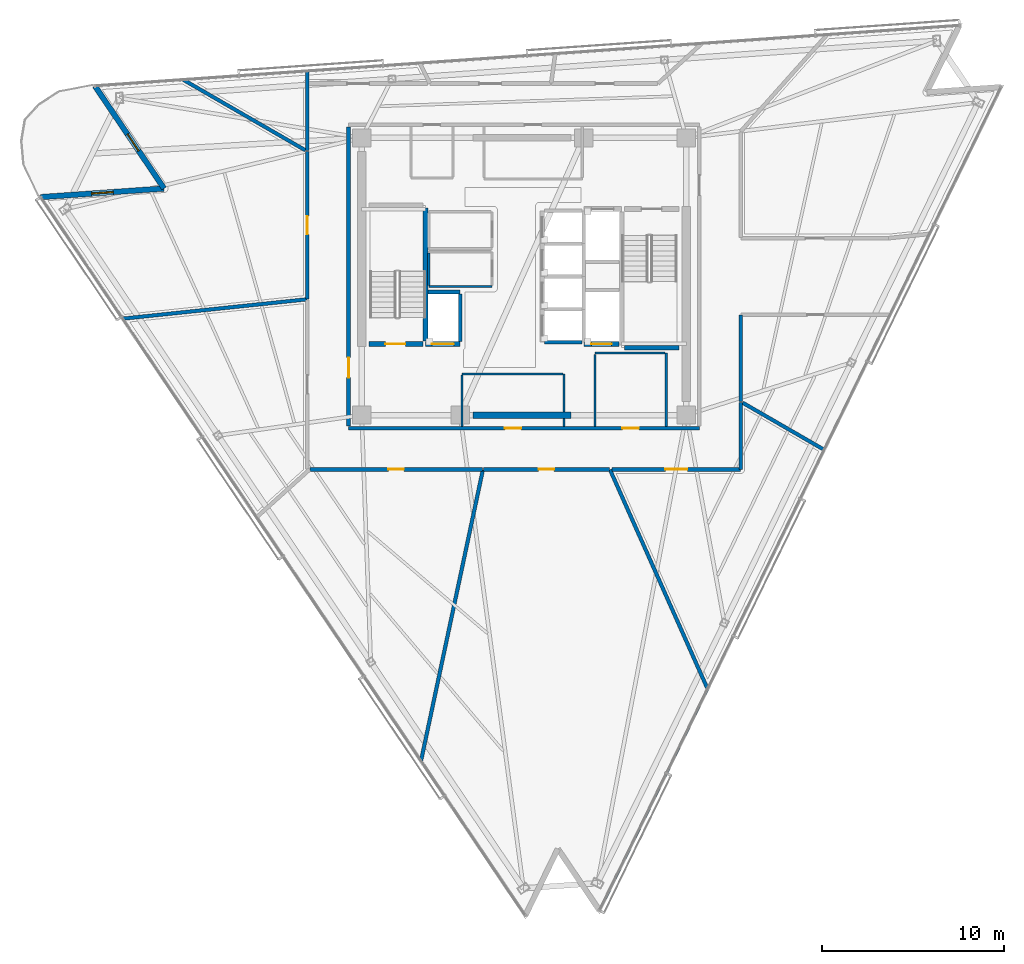
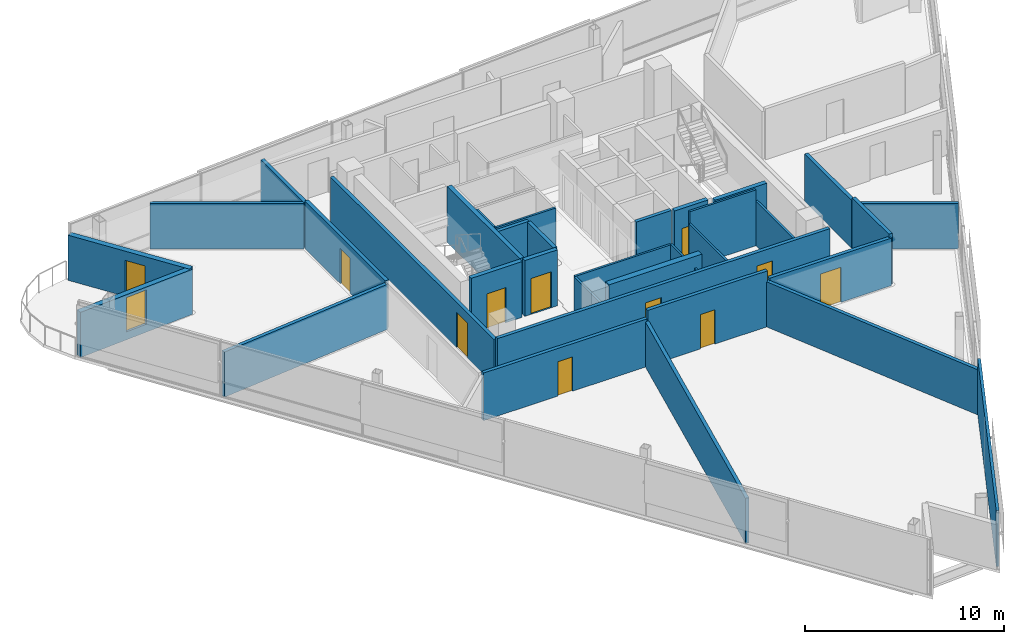
# One storey, part 9 of 16: 35 walls, 11 doors, 1 window, 12 openings.
"""IFC4 building model written with IfcOpenShell, lengths in metres."""

from ifc_helpers import new_model, si_unit, direction, frame, frame_2d, origin, place, context, subcontext, project, spatial, rectangle, extrude, material, layer, layer_set, type_object, element, fill, save


model = new_model("IFC4")

# Units and contexts
model_context = context("Model", 3, precision=1e-05, world=origin(), true_north=direction((0.0, 1.0)))
body_context = subcontext(model_context, "Body", "Model", "MODEL_VIEW")
ifc_project = project(units=[si_unit("LENGTHUNIT", "METRE"), si_unit("AREAUNIT", "SQUARE_METRE"), si_unit("VOLUMEUNIT", "CUBIC_METRE"), si_unit("PLANEANGLEUNIT", "RADIAN"), si_unit("MASSUNIT", "GRAM", prefix="KILO")], contexts=[model_context])

# Site, building, storey
site_placement = place(None, origin())
site = spatial("IfcSite", under=ifc_project, at=site_placement, CompositionType="ELEMENT")
building_placement = place(site_placement, origin())
building = spatial("IfcBuilding", under=site, at=building_placement, Name="Tharavind Bronze Gate", CompositionType="ELEMENT")
storey_placement = place(building_placement, frame((0.0, 0.0, 260.60009765625)))
storey = spatial("IfcBuildingStorey", under=building, at=storey_placement, Name="L67", CompositionType="ELEMENT", Elevation=260.60009765625)

# Wall, opening, door
ifc_material_1 = material(Name="Concrete C40/50", Category="concrete")
ifc_layer_1 = layer(ifc_material_1, 0.300048828125)
ifc_layer_set_1 = layer_set([ifc_layer_1], Name="Concrete C40/50")
wall_type_1 = type_object("IfcWallType", Name="EXTERIOR SPANDREL WALL 300", PredefinedType="STANDARD", material=ifc_layer_set_1)
wall_1_placement = place(storey_placement, frame((-23.52587890625, 10.446044921875, 0.0), z_axis=(0.0, 0.0, 1.0), x_axis=(0.559187716425, -0.829041071238, 0.0)))
wall_1 = element("IfcWall", 1, at=wall_1_placement, inside=storey, type_object=wall_type_1, Name="L67 notch cheek wall 1A", PredefinedType="STANDARD", context=body_context, shape_type="SweptSolid", body=[
    extrude(rectangle(XDim=6.780029296875, YDim=0.300048828125, at=frame_2d((3.39013671875, 0.0))), origin(), (0.0, 0.0, 1.0), 2.764892578125),
])
opening_1_placement = place(wall_1_placement, frame((3.18603515625, 0.0, 0.0)))
opening_1 = element("IfcOpeningElement", 2, at=opening_1_placement, cuts=wall_1, Name="Opening ED04", PredefinedType="OPENING", context=body_context, shape_type="SweptSolid", body=[
    extrude(rectangle(XDim=1.10009765625, YDim=2.199951171875, at=frame_2d((0.550048828125, 1.10009765625))), frame((0.0, 0.15990234375, 0.0), z_axis=(0.0, -1.0, 0.0), x_axis=(1.0, 0.0, 0.0)), (0.0, 0.0, 1.0), 0.320048828125),
])
ifc_material_2 = material(Name="Bronze Aluminium & Toughened Glass", Category="aluminium")
door_type_1 = type_object("IfcDoorType", Name="TREE BALCONY ACCESS DOOR 1100X2200", OperationType="SINGLE_SWING_LEFT", PredefinedType="DOOR", material=ifc_material_2)
door_1_placement = place(opening_1_placement, frame((1.10009765625, 0.0, 0.0), z_axis=(0.0, 0.0, 1.0), x_axis=(-1.0, 0.0, 0.0)))
door_1 = element("IfcDoor", 3, at=door_1_placement, inside=storey, type_object=door_type_1, Name="L67 tree balcony access door", OperationType="SINGLE_SWING_LEFT", OverallHeight=2.199951171875, OverallWidth=1.10009765625, PredefinedType="DOOR", context=body_context, shape_type="SweptSolid", body=[
    extrude(rectangle(XDim=1.10009765625, YDim=2.199951171875, at=frame_2d((0.550048828125, 1.10009765625))), frame((0.0, 0.02490234375, 0.0), z_axis=(0.0, -1.0, 0.0), x_axis=(1.0, 0.0, 0.0)), (0.0, 0.0, 1.0), 0.050048828125),
])
fill(opening_1, door_1)

# Wall, opening, window
wall_2_placement = place(storey_placement, frame((-19.734619140625, 4.8251953125, 0.0), z_axis=(0.0, 0.0, 1.0), x_axis=(-0.997564507468, -0.06974993506, 0.0)))
wall_2 = element("IfcWall", 4, at=wall_2_placement, inside=storey, type_object=wall_type_1, Name="L67 notch cheek wall 1B", PredefinedType="STANDARD", context=body_context, shape_type="SweptSolid", body=[
    extrude(rectangle(XDim=6.780029296875, YDim=0.300048828125, at=frame_2d((3.39013671875, 0.0))), origin(), (0.0, 0.0, 1.0), 2.764892578125),
])
opening_2_placement = place(wall_2_placement, frame((2.7900390625, 0.0, 0.485107421875)))
opening_2 = element("IfcOpeningElement", 5, at=opening_2_placement, cuts=wall_2, Name="Opening W01", PredefinedType="OPENING", context=body_context, shape_type="SweptSolid", body=[
    extrude(rectangle(XDim=1.199951171875, YDim=2.10009765625, at=frame_2d((0.60009765625, 1.050048828125))), frame((0.0, 0.15990234375, 0.0), z_axis=(0.0, -1.0, 0.0), x_axis=(1.0, 0.0, 0.0)), (0.0, 0.0, 1.0), 0.320048828125),
])
ifc_material_3 = material(Name="Bronze Aluminium & Low-E Glass", Category="aluminium")
window_type = type_object("IfcWindowType", Name="FIXED BRONZE CASEMENT WINDOW 1200X2100", PartitioningType="SINGLE_PANEL", PredefinedType="WINDOW", material=ifc_material_3)
window_placement = place(opening_2_placement, origin())
window = element("IfcWindow", 6, at=window_placement, inside=storey, type_object=window_type, Name="L67 exterior window WL-L67-NCA1-01", OverallHeight=2.10009765625, OverallWidth=1.199951171875, PartitioningType="SINGLE_PANEL", PredefinedType="WINDOW", context=body_context, shape_type="SweptSolid", body=[
    extrude(rectangle(XDim=1.199951171875, YDim=2.10009765625, at=frame_2d((0.60009765625, 1.050048828125))), frame((0.0, 0.030029296875, 0.0), z_axis=(0.0, -1.0, 0.0), x_axis=(1.0, 0.0, 0.0)), (0.0, 0.0, 1.0), 0.06005859375),
])
fill(opening_2, window)

# Wall, openings, doors
ifc_material_4 = material(Name="Aerated Concrete Block", Category="concrete")
ifc_layer_2 = layer(ifc_material_4, 0.199951171875)
ifc_layer_set_2 = layer_set([ifc_layer_2], Name="Aerated Concrete Block")
wall_type_2 = type_object("IfcWallType", Name="FIRE RATED PARTITION 200", PredefinedType="PARTITIONING", material=ifc_layer_set_2)
wall_3_placement = place(storey_placement, frame((-9.6201171875, -8.320068359375, 0.0), z_axis=(0.0, 0.0, 1.0), x_axis=(1.0, 0.0, 0.0)))
wall_3 = element("IfcWall", 7, at=wall_3_placement, inside=storey, type_object=wall_type_2, Name="L67 south core corridor wall", PredefinedType="PARTITIONING", context=body_context, shape_type="SweptSolid", body=[
    extrude(rectangle(XDim=19.240234375, YDim=0.199951171875, at=frame_2d((9.6201171875, 0.0))), origin(), (0.0, 0.0, 1.0), 2.914794921875),
])
opening_3_placement = place(wall_3_placement, frame((8.570068359375, 0.0, 0.0)))
opening_3 = element("IfcOpeningElement", 8, at=opening_3_placement, cuts=wall_3, Name="Opening ID07", PredefinedType="OPENING", context=body_context, shape_type="SweptSolid", body=[
    extrude(rectangle(XDim=0.89990234375, YDim=2.10009765625, at=frame_2d((0.449951171875, 1.050048828125))), frame((0.0, 0.11009765625, 0.0), z_axis=(0.0, -1.0, 0.0), x_axis=(1.0, 0.0, 0.0)), (0.0, 0.0, 1.0), 0.219951171875),
])
opening_4_placement = place(wall_3_placement, frame((15.02001953125, 0.0, 0.0)))
opening_4 = element("IfcOpeningElement", 9, at=opening_4_placement, cuts=wall_3, Name="Opening ID07", PredefinedType="OPENING", context=body_context, shape_type="SweptSolid", body=[
    extrude(rectangle(XDim=0.89990234375, YDim=2.10009765625, at=frame_2d((0.449951171875, 1.050048828125))), frame((0.0, 0.11009765625, 0.0), z_axis=(0.0, -1.0, 0.0), x_axis=(1.0, 0.0, 0.0)), (0.0, 0.0, 1.0), 0.219951171875),
])
ifc_material_5 = material(Name="Galvanised Fire Steel", Category="steel")
door_type_2 = type_object("IfcDoorType", Name="PLANT AND RISER FIRE DOOR 900X2100", OperationType="SINGLE_SWING_LEFT", PredefinedType="DOOR", material=ifc_material_5)
door_2_placement = place(opening_3_placement, origin())
door_2 = element("IfcDoor", 10, at=door_2_placement, inside=storey, type_object=door_type_2, Name="L67 Core BMS Control Room fire door", OperationType="SINGLE_SWING_LEFT", OverallHeight=2.10009765625, OverallWidth=0.89990234375, PredefinedType="DOOR", context=body_context, shape_type="SweptSolid", body=[
    extrude(rectangle(XDim=0.89990234375, YDim=2.10009765625, at=frame_2d((0.449951171875, 1.050048828125))), frame((0.0, 0.02490234375, 0.0), z_axis=(0.0, -1.0, 0.0), x_axis=(1.0, 0.0, 0.0)), (0.0, 0.0, 1.0), 0.050048828125),
])
fill(opening_3, door_2)
door_3_placement = place(opening_4_placement, origin())
door_3 = element("IfcDoor", 11, at=door_3_placement, inside=storey, type_object=door_type_2, Name="L67 Telecom Metering Room fire door", OperationType="SINGLE_SWING_LEFT", OverallHeight=2.10009765625, OverallWidth=0.89990234375, PredefinedType="DOOR", context=body_context, shape_type="SweptSolid", body=[
    extrude(rectangle(XDim=0.89990234375, YDim=2.10009765625, at=frame_2d((0.449951171875, 1.050048828125))), frame((0.0, 0.02490234375, 0.0), z_axis=(0.0, -1.0, 0.0), x_axis=(1.0, 0.0, 0.0)), (0.0, 0.0, 1.0), 0.050048828125),
])
fill(opening_4, door_3)

# Wall, opening, door
wall_4_placement = place(storey_placement, frame((-9.6201171875, 8.199951171875, 0.0), z_axis=(0.0, 0.0, 1.0), x_axis=(0.0, -1.0, 0.0)))
wall_4 = element("IfcWall", 12, at=wall_4_placement, inside=storey, type_object=wall_type_2, Name="L67 west core corridor wall", PredefinedType="PARTITIONING", context=body_context, shape_type="SweptSolid", body=[
    extrude(rectangle(XDim=16.39990234375, YDim=0.199951171875, at=frame_2d((8.199951171875, 0.0))), origin(), (0.0, 0.0, 1.0), 2.764892578125),
])
opening_5_placement = place(wall_4_placement, frame((12.64990234375, 0.0, 0.0)))
opening_5 = element("IfcOpeningElement", 13, at=opening_5_placement, cuts=wall_4, Name="Opening ID01", PredefinedType="OPENING", context=body_context, shape_type="SweptSolid", body=[
    extrude(rectangle(XDim=1.10009765625, YDim=2.14990234375, at=frame_2d((0.550048828125, 1.074951171875))), frame((0.0, 0.11009765625, 0.0), z_axis=(0.0, -1.0, 0.0), x_axis=(1.0, 0.0, 0.0)), (0.0, 0.0, 1.0), 0.219951171875),
])
ifc_material_6 = material(Name="Fire-Rated Steel", Category="steel")
door_type_3 = type_object("IfcDoorType", Name="STAIR CORE FIRE DOOR 1100X2150", OperationType="SINGLE_SWING_LEFT", PredefinedType="DOOR", material=ifc_material_6)
door_4_placement = place(opening_5_placement, frame((1.10009765625, 0.0, 0.0), z_axis=(0.0, 0.0, 1.0), x_axis=(-1.0, 0.0, 0.0)))
door_4 = element("IfcDoor", 14, at=door_4_placement, inside=storey, type_object=door_type_3, Name="L67 south west stair lobby fire door", OperationType="SINGLE_SWING_LEFT", OverallHeight=2.14990234375, OverallWidth=1.10009765625, PredefinedType="DOOR", context=body_context, shape_type="SweptSolid", body=[
    extrude(rectangle(XDim=1.10009765625, YDim=2.14990234375, at=frame_2d((0.550048828125, 1.074951171875))), frame((0.0, 0.02490234375, 0.0), z_axis=(0.0, -1.0, 0.0), x_axis=(1.0, 0.0, 0.0)), (0.0, 0.0, 1.0), 0.050048828125),
])
fill(opening_5, door_4)

wall_5_placement = place(storey_placement, frame((-11.74072265625, -10.580078125, 0.0), z_axis=(0.0, 0.0, 1.0), x_axis=(1.0, 0.0, 0.0)))
wall_5 = element("IfcWall", 15, at=wall_5_placement, inside=storey, type_object=wall_type_2, Name="L67 Public Restrooms Block partition", PredefinedType="PARTITIONING", context=body_context, shape_type="SweptSolid", body=[
    extrude(rectangle(XDim=9.4609375, YDim=0.199951171875, at=frame_2d((4.73046875, 0.0))), origin(), (0.0, 0.0, 1.0), 2.914794921875),
])
opening_6_placement = place(wall_5_placement, frame((4.305908203125, 0.0, 0.0)))
opening_6 = element("IfcOpeningElement", 16, at=opening_6_placement, cuts=wall_5, Name="Opening ID06", PredefinedType="OPENING", context=body_context, shape_type="SweptSolid", body=[
    extrude(rectangle(XDim=0.85009765625, YDim=2.10009765625, at=frame_2d((0.425048828125, 1.050048828125))), frame((0.0, 0.11009765625, 0.0), z_axis=(0.0, -1.0, 0.0), x_axis=(1.0, 0.0, 0.0)), (0.0, 0.0, 1.0), 0.219951171875),
])
ifc_material_7 = material(Name="Moisture-Resistant Timber", Category="wood")
door_type_4 = type_object("IfcDoorType", Name="BATHROOM PRIVACY DOOR 850X2100", OperationType="SINGLE_SWING_RIGHT", PredefinedType="DOOR", material=ifc_material_7)
door_5_placement = place(opening_6_placement, origin())
door_5 = element("IfcDoor", 17, at=door_5_placement, inside=storey, type_object=door_type_4, Name="L67 Public Restrooms Block door", OperationType="SINGLE_SWING_RIGHT", OverallHeight=2.10009765625, OverallWidth=0.85009765625, PredefinedType="DOOR", context=body_context, shape_type="SweptSolid", body=[
    extrude(rectangle(XDim=0.85009765625, YDim=2.10009765625, at=frame_2d((0.425048828125, 1.050048828125))), frame((0.0, 0.02490234375, 0.0), z_axis=(0.0, -1.0, 0.0), x_axis=(1.0, 0.0, 0.0)), (0.0, 0.0, 1.0), 0.050048828125),
])
fill(opening_6, door_5)

# Wall
wall_6_placement = place(storey_placement, frame((-2.25537109375, -10.610107421875, 0.0), z_axis=(0.0, 0.0, 1.0), x_axis=(-0.207902262157, -0.97814960481, 0.0)))
element("IfcWall", 18, at=wall_6_placement, inside=storey, type_object=wall_type_2, Name="L67 Public Restrooms Block partition", PredefinedType="PARTITIONING", context=body_context, shape_type="SweptSolid", body=[
    extrude(rectangle(XDim=16.308837890625, YDim=0.199951171875, at=frame_2d((8.154296875, 0.0))), origin(), (0.0, 0.0, 1.0), 2.764892578125),
])

# Wall, opening, door
wall_7_placement = place(storey_placement, frame((-2.228515625, -10.580078125, 0.0), z_axis=(0.0, 0.0, 1.0), x_axis=(1.0, 0.0, 0.0)))
wall_7 = element("IfcWall", 19, at=wall_7_placement, inside=storey, type_object=wall_type_2, Name="L67 Public Restrooms Block partition", PredefinedType="PARTITIONING", context=body_context, shape_type="SweptSolid", body=[
    extrude(rectangle(XDim=6.9228515625, YDim=0.199951171875, at=frame_2d((3.46142578125, 0.0))), origin(), (0.0, 0.0, 1.0), 3.419921875),
])
opening_7_placement = place(wall_7_placement, frame((3.035888671875, 0.0, 0.0)))
opening_7 = element("IfcOpeningElement", 20, at=opening_7_placement, cuts=wall_7, Name="Opening ID06", PredefinedType="OPENING", context=body_context, shape_type="SweptSolid", body=[
    extrude(rectangle(XDim=0.85009765625, YDim=2.10009765625, at=frame_2d((0.425048828125, 1.050048828125))), frame((0.0, 0.11009765625, 0.0), z_axis=(0.0, -1.0, 0.0), x_axis=(1.0, 0.0, 0.0)), (0.0, 0.0, 1.0), 0.219951171875),
])
door_6_placement = place(opening_7_placement, origin())
door_6 = element("IfcDoor", 21, at=door_6_placement, inside=storey, type_object=door_type_4, Name="L67 Public Restrooms Block door", OperationType="SINGLE_SWING_RIGHT", OverallHeight=2.10009765625, OverallWidth=0.85009765625, PredefinedType="DOOR", context=body_context, shape_type="SweptSolid", body=[
    extrude(rectangle(XDim=0.85009765625, YDim=2.10009765625, at=frame_2d((0.425048828125, 1.050048828125))), frame((0.0, 0.02490234375, 0.0), z_axis=(0.0, -1.0, 0.0), x_axis=(1.0, 0.0, 0.0)), (0.0, 0.0, 1.0), 0.050048828125),
])
fill(opening_7, door_6)

# Walls
wall_8_placement = place(storey_placement, frame((4.717041015625, -10.5947265625, 0.0), z_axis=(0.0, 0.0, 1.0), x_axis=(0.406740308305, -0.913543825769, 0.0)))
element("IfcWall", 22, at=wall_8_placement, inside=storey, type_object=wall_type_2, Name="L67 Public Restrooms Block partition", PredefinedType="PARTITIONING", context=body_context, shape_type="SweptSolid", body=[
    extrude(rectangle(XDim=13.1337890625, YDim=0.199951171875, at=frame_2d((6.56689453125, 0.0))), origin(), (0.0, 0.0, 1.0), 2.764892578125),
])
wall_9_placement = place(storey_placement, frame((-11.8798828125, 11.260498046875, 0.0), z_axis=(0.0, 0.0, 1.0), x_axis=(0.0, -1.0, 0.0)))
element("IfcWall", 23, at=wall_9_placement, inside=storey, type_object=wall_type_2, Name="L67 Strategy Seminar Room partition", PredefinedType="PARTITIONING", context=body_context, shape_type="SweptSolid", body=[
    extrude(rectangle(XDim=4.3583984375, YDim=0.199951171875, at=frame_2d((2.17919921875, 0.0))), origin(), (0.0, 0.0, 1.0), 2.764892578125),
])
wall_10_placement = place(storey_placement, frame((-11.985107421875, 6.919677734375, 0.0), z_axis=(0.0, 0.0, 1.0), x_axis=(-0.866026758741, 0.499997653139, 0.0)))
element("IfcWall", 24, at=wall_10_placement, inside=storey, type_object=wall_type_2, Name="L67 Strategy Seminar Room partition", PredefinedType="PARTITIONING", context=body_context, shape_type="SweptSolid", body=[
    extrude(rectangle(XDim=7.73046875, YDim=0.199951171875, at=frame_2d((3.865234375, 0.0))), origin(), (0.0, 0.0, 1.0), 2.764892578125),
])

# Wall, opening, door
wall_11_placement = place(storey_placement, frame((-11.8798828125, 6.844482421875, 0.0), z_axis=(0.0, 0.0, 1.0), x_axis=(0.0, -1.0, 0.0)))
wall_11 = element("IfcWall", 25, at=wall_11_placement, inside=storey, type_object=wall_type_2, Name="L67 Executive Open Office partition", PredefinedType="PARTITIONING", context=body_context, shape_type="SweptSolid", body=[
    extrude(rectangle(XDim=8.070556640625, YDim=0.199951171875, at=frame_2d((4.03515625, 0.0))), origin(), (0.0, 0.0, 1.0), 2.914794921875),
])
opening_8_placement = place(wall_11_placement, frame((3.534912109375, 0.0, 0.0)))
opening_8 = element("IfcOpeningElement", 26, at=opening_8_placement, cuts=wall_11, Name="Opening ID04", PredefinedType="OPENING", context=body_context, shape_type="SweptSolid", body=[
    extrude(rectangle(XDim=1.0, YDim=2.14990234375, at=frame_2d((0.5, 1.074951171875))), frame((0.0, 0.11009765625, 0.0), z_axis=(0.0, -1.0, 0.0), x_axis=(1.0, 0.0, 0.0)), (0.0, 0.0, 1.0), 0.219951171875),
])
ifc_material_8 = material(Name="Bronze Framed Acoustic Timber", Category="wood")
door_type_5 = type_object("IfcDoorType", Name="OFFICE TENANCY DOOR 1000X2150", OperationType="SINGLE_SWING_RIGHT", PredefinedType="DOOR", material=ifc_material_8)
door_7_placement = place(opening_8_placement, origin())
door_7 = element("IfcDoor", 27, at=door_7_placement, inside=storey, type_object=door_type_5, Name="L67 Executive Open Office door", OperationType="SINGLE_SWING_RIGHT", OverallHeight=2.14990234375, OverallWidth=1.0, PredefinedType="DOOR", context=body_context, shape_type="SweptSolid", body=[
    extrude(rectangle(XDim=1.0, YDim=2.14990234375, at=frame_2d((0.5, 1.074951171875))), frame((0.0, 0.02490234375, 0.0), z_axis=(0.0, -1.0, 0.0), x_axis=(1.0, 0.0, 0.0)), (0.0, 0.0, 1.0), 0.050048828125),
])
fill(opening_8, door_7)

# Wall
wall_12_placement = place(storey_placement, frame((-11.90234375, -1.2509765625, 0.0), z_axis=(0.0, 0.0, 1.0), x_axis=(-0.994521271801, -0.104534395947, 0.0)))
element("IfcWall", 28, at=wall_12_placement, inside=storey, type_object=wall_type_2, Name="L67 Executive Open Office partition", PredefinedType="PARTITIONING", context=body_context, shape_type="SweptSolid", body=[
    extrude(rectangle(XDim=10.140869140625, YDim=0.199951171875, at=frame_2d((5.0703125, 0.0))), origin(), (0.0, 0.0, 1.0), 2.764892578125),
])

# Wall, opening, door
wall_13_placement = place(storey_placement, frame((4.825439453125, -10.580078125, 0.0), z_axis=(0.0, 0.0, 1.0), x_axis=(1.0, 0.0, 0.0)))
wall_13 = element("IfcWall", 29, at=wall_13_placement, inside=storey, type_object=wall_type_2, Name="L67 Executive Dining Lounge partition", PredefinedType="PARTITIONING", context=body_context, shape_type="SweptSolid", body=[
    extrude(rectangle(XDim=7.053955078125, YDim=0.199951171875, at=frame_2d((3.52685546875, 0.0))), origin(), (0.0, 0.0, 1.0), 2.914794921875),
])
opening_9_placement = place(wall_13_placement, frame((2.927001953125, 0.0, 0.0)))
opening_9 = element("IfcOpeningElement", 30, at=opening_9_placement, cuts=wall_13, Name="Opening ID05", PredefinedType="OPENING", context=body_context, shape_type="SweptSolid", body=[
    extrude(rectangle(XDim=1.199951171875, YDim=2.14990234375, at=frame_2d((0.60009765625, 1.074951171875))), frame((0.0, 0.11009765625, 0.0), z_axis=(0.0, -1.0, 0.0), x_axis=(1.0, 0.0, 0.0)), (0.0, 0.0, 1.0), 0.219951171875),
])
ifc_material_9 = material(Name="Acoustic Laminated Glass", Category="glass")
door_type_6 = type_object("IfcDoorType", Name="MEETING ROOM GLAZED DOOR 1200X2150", OperationType="SINGLE_SWING_LEFT", PredefinedType="DOOR", material=ifc_material_9)
door_8_placement = place(opening_9_placement, origin())
door_8 = element("IfcDoor", 31, at=door_8_placement, inside=storey, type_object=door_type_6, Name="L67 Executive Dining Lounge door", OperationType="SINGLE_SWING_LEFT", OverallHeight=2.14990234375, OverallWidth=1.199951171875, PredefinedType="DOOR", context=body_context, shape_type="SweptSolid", body=[
    extrude(rectangle(XDim=1.199951171875, YDim=2.14990234375, at=frame_2d((0.60009765625, 1.074951171875))), frame((0.0, 0.02490234375, 0.0), z_axis=(0.0, -1.0, 0.0), x_axis=(1.0, 0.0, 0.0)), (0.0, 0.0, 1.0), 0.050048828125),
])
fill(opening_9, door_8)

# Walls
wall_14_placement = place(storey_placement, frame((11.8798828125, -10.579345703125, 0.0), z_axis=(0.0, 0.0, 1.0), x_axis=(0.0, 1.0, 0.0)))
element("IfcWall", 32, at=wall_14_placement, inside=storey, type_object=wall_type_2, Name="L67 Executive Dining Lounge partition", PredefinedType="PARTITIONING", context=body_context, shape_type="SweptSolid", body=[
    extrude(rectangle(XDim=3.67724609375, YDim=0.199951171875, at=frame_2d((1.838623046875, 0.0))), origin(), (0.0, 0.0, 1.0), 3.114990234375),
])
wall_15_placement = place(storey_placement, frame((11.985107421875, -6.919677734375, 0.0), z_axis=(0.0, 0.0, 1.0), x_axis=(0.866041575714, -0.49997198835, 0.0)))
element("IfcWall", 33, at=wall_15_placement, inside=storey, type_object=wall_type_2, Name="L67 Executive Dining Lounge partition", PredefinedType="PARTITIONING", context=body_context, shape_type="SweptSolid", body=[
    extrude(rectangle(XDim=5.137939453125, YDim=0.199951171875, at=frame_2d((2.56884765625, 0.0))), origin(), (0.0, 0.0, 1.0), 2.764892578125),
])
wall_16_placement = place(storey_placement, frame((11.8798828125, -6.844482421875, 0.0), z_axis=(0.0, 0.0, 1.0), x_axis=(0.0, 1.0, 0.0)))
element("IfcWall", 34, at=wall_16_placement, inside=storey, type_object=wall_type_2, Name="L67 Butler Pantry partition", PredefinedType="PARTITIONING", context=body_context, shape_type="SweptSolid", body=[
    extrude(rectangle(XDim=4.719482421875, YDim=0.199951171875, at=frame_2d((2.35986328125, 0.0))), origin(), (0.0, 0.0, 1.0), 2.914794921875),
])
ifc_material_10 = material(Name="Metal Stud Gypsum Partition", Category="gypsum")
ifc_layer_3 = layer(ifc_material_10, 0.1201171875)
ifc_layer_set_3 = layer_set([ifc_layer_3], Name="Metal Stud Gypsum Partition")
wall_type_3 = type_object("IfcWallType", Name="INTERIOR PARTITION WALL 120", PredefinedType="PARTITIONING", material=ifc_layer_set_3)
wall_17_placement = place(storey_placement, frame((-5.219970703125, -0.550048828125, 0.0), z_axis=(0.0, 0.0, 1.0), x_axis=(1.0, 0.0, 0.0)))
element("IfcWall", 35, at=wall_17_placement, inside=storey, type_object=wall_type_3, Name="L67 Electrical Switch Room partition 1", PredefinedType="PARTITIONING", context=body_context, shape_type="SweptSolid", body=[
    extrude(rectangle(XDim=3.469970703125, YDim=0.1201171875, at=frame_2d((1.73486328125, 0.0))), origin(), (0.0, 0.0, 1.0), 3.419921875),
])
wall_18_placement = place(storey_placement, frame((-5.219970703125, 1.27490234375, 0.0), z_axis=(0.0, 0.0, 1.0), x_axis=(0.0, -1.0, 0.0)))
element("IfcWall", 36, at=wall_18_placement, inside=storey, type_object=wall_type_3, Name="L67 Electrical Switch Room partition 4", PredefinedType="PARTITIONING", context=body_context, shape_type="SweptSolid", body=[
    extrude(rectangle(XDim=1.760009765625, YDim=0.1201171875, at=frame_2d((0.8798828125, 0.0))), origin(), (0.0, 0.0, 1.0), 3.419921875),
])
wall_19_placement = place(storey_placement, frame((2.199951171875, -8.215087890625, 0.0), z_axis=(0.0, 0.0, 1.0), x_axis=(0.0, 1.0, 0.0)))
element("IfcWall", 37, at=wall_19_placement, inside=storey, type_object=wall_type_3, Name="L67 Core BMS Control Room partition 2", PredefinedType="PARTITIONING", context=body_context, shape_type="SweptSolid", body=[
    extrude(rectangle(XDim=0.43505859375, YDim=0.1201171875, at=frame_2d((0.217529296875, 0.0))), origin(), (0.0, 0.0, 1.0), 2.71484375),
])
wall_20_placement = place(storey_placement, frame((2.199951171875, -7.419921875, 0.0), z_axis=(0.0, 0.0, 1.0), x_axis=(0.0, 1.0, 0.0)))
element("IfcWall", 38, at=wall_20_placement, inside=storey, type_object=wall_type_3, Name="L67 Core BMS Control Room partition 2", PredefinedType="PARTITIONING", context=body_context, shape_type="SweptSolid", body=[
    extrude(rectangle(XDim=2.06982421875, YDim=0.1201171875, at=frame_2d((1.034912109375, 0.0))), origin(), (0.0, 0.0, 1.0), 2.71484375),
])
wall_21_placement = place(storey_placement, frame((2.135009765625, -5.35009765625, 0.0), z_axis=(0.0, 0.0, 1.0), x_axis=(-1.0, 0.0, 0.0)))
element("IfcWall", 39, at=wall_21_placement, inside=storey, type_object=wall_type_3, Name="L67 Core BMS Control Room partition 3", PredefinedType="PARTITIONING", context=body_context, shape_type="SweptSolid", body=[
    extrude(rectangle(XDim=5.534912109375, YDim=0.1201171875, at=frame_2d((2.767578125, 0.0))), origin(), (0.0, 0.0, 1.0), 2.71484375),
])
wall_22_placement = place(storey_placement, frame((-3.39990234375, -5.4150390625, 0.0), z_axis=(0.0, 0.0, 1.0), x_axis=(0.0, -1.0, 0.0)))
element("IfcWall", 40, at=wall_22_placement, inside=storey, type_object=wall_type_3, Name="L67 Core BMS Control Room partition 4", PredefinedType="PARTITIONING", context=body_context, shape_type="SweptSolid", body=[
    extrude(rectangle(XDim=2.800048828125, YDim=0.1201171875, at=frame_2d((1.39990234375, 0.0))), origin(), (0.0, 0.0, 1.0), 2.71484375),
])
wall_23_placement = place(storey_placement, frame((7.800048828125, -8.215087890625, 0.0), z_axis=(0.0, 0.0, 1.0), x_axis=(0.0, 1.0, 0.0)))
element("IfcWall", 41, at=wall_23_placement, inside=storey, type_object=wall_type_3, Name="L67 Telecom Metering Room partition 2", PredefinedType="PARTITIONING", context=body_context, shape_type="SweptSolid", body=[
    extrude(rectangle(XDim=4.01513671875, YDim=0.1201171875, at=frame_2d((2.007568359375, 0.0))), origin(), (0.0, 0.0, 1.0), 2.71484375),
])
wall_24_placement = place(storey_placement, frame((7.735107421875, -4.199951171875, 0.0), z_axis=(0.0, 0.0, 1.0), x_axis=(-1.0, 0.0, 0.0)))
element("IfcWall", 42, at=wall_24_placement, inside=storey, type_object=wall_type_3, Name="L67 Telecom Metering Room partition 3", PredefinedType="PARTITIONING", context=body_context, shape_type="SweptSolid", body=[
    extrude(rectangle(XDim=3.835205078125, YDim=0.1201171875, at=frame_2d((1.91748046875, 0.0))), origin(), (0.0, 0.0, 1.0), 3.419921875),
])
wall_25_placement = place(storey_placement, frame((3.89990234375, -4.264892578125, 0.0), z_axis=(0.0, 0.0, 1.0), x_axis=(0.0, -1.0, 0.0)))
element("IfcWall", 43, at=wall_25_placement, inside=storey, type_object=wall_type_3, Name="L67 Telecom Metering Room partition 4", PredefinedType="PARTITIONING", context=body_context, shape_type="SweptSolid", body=[
    extrude(rectangle(XDim=3.9501953125, YDim=0.1201171875, at=frame_2d((1.97509765625, 0.0))), origin(), (0.0, 0.0, 1.0), 2.71484375),
])
ifc_material_11 = material(Name="Twin Stud Acoustic Gypsum", Category="gypsum")
ifc_layer_4 = layer(ifc_material_11, 0.14990234375)
ifc_layer_set_4 = layer_set([ifc_layer_4], Name="Twin Stud Acoustic Gypsum")
wall_type_4 = type_object("IfcWallType", Name="INTERIOR PARTITION WALL 150", PredefinedType="PARTITIONING", material=ifc_layer_set_4)
wall_26_placement = place(storey_placement, frame((10.05859375, -22.6142578125, 0.0), z_axis=(0.0, 0.0, 1.0), x_axis=(-0.438368087018, -0.898795538643, 0.0)))
element("IfcWall", 44, at=wall_26_placement, inside=storey, type_object=wall_type_4, Name="L67 Public Restrooms Block partition", PredefinedType="PARTITIONING", context=body_context, shape_type="SweptSolid", body=[
    extrude(rectangle(XDim=13.336181640625, YDim=0.14990234375, at=frame_2d((6.66796875, 0.0))), origin(), (0.0, 0.0, 1.0), 3.419921875),
])
ifc_material_12 = material(Name="Concrete C50/60", Category="concrete")
ifc_layer_5 = layer(ifc_material_12, 0.25)
ifc_layer_set_5 = layer_set([ifc_layer_5], Name="Concrete C50/60")
wall_type_5 = type_object("IfcWallType", Name="RC CORE SHEAR WALL 250", PredefinedType="SHEAR", material=ifc_layer_set_5)
wall_27_placement = place(storey_placement, frame((-5.39990234375, -3.550048828125, 0.0), z_axis=(0.0, 0.0, 1.0), x_axis=(0.0, 1.0, 0.0)))
element("IfcWall", 45, at=wall_27_placement, inside=storey, type_object=wall_type_5, Name="L67 ST1 shaft east wall", PredefinedType="SHEAR", context=body_context, shape_type="SweptSolid", body=[
    extrude(rectangle(XDim=7.300048828125, YDim=0.25, at=frame_2d((3.64990234375, 0.0))), origin(), (0.0, 0.0, 1.0), 3.419921875),
])

# Wall, opening, door
wall_28_placement = place(storey_placement, frame((-8.5, -3.699951171875, 0.0), z_axis=(0.0, 0.0, 1.0), x_axis=(1.0, 0.0, 0.0)))
wall_28 = element("IfcWall", 46, at=wall_28_placement, inside=storey, type_object=wall_type_5, Name="L67 ST1 shaft south wall", PredefinedType="SHEAR", context=body_context, shape_type="SweptSolid", body=[
    extrude(rectangle(XDim=2.949951171875, YDim=0.25, at=frame_2d((1.47509765625, 0.0))), origin(), (0.0, 0.0, 1.0), 3.419921875),
])
opening_10_placement = place(wall_28_placement, frame((0.89990234375, 0.0, 0.0)))
opening_10 = element("IfcOpeningElement", 47, at=opening_10_placement, cuts=wall_28, Name="Opening ID01", PredefinedType="OPENING", context=body_context, shape_type="SweptSolid", body=[
    extrude(rectangle(XDim=1.10009765625, YDim=2.14990234375, at=frame_2d((0.550048828125, 1.074951171875))), frame((0.0, 0.135, 0.0), z_axis=(0.0, -1.0, 0.0), x_axis=(1.0, 0.0, 0.0)), (0.0, 0.0, 1.0), 0.27),
])
door_9_placement = place(opening_10_placement, origin())
door_9 = element("IfcDoor", 48, at=door_9_placement, inside=storey, type_object=door_type_3, Name="L67 exit stair ST1 fire door", OperationType="SINGLE_SWING_LEFT", OverallHeight=2.14990234375, OverallWidth=1.10009765625, PredefinedType="DOOR", context=body_context, shape_type="SweptSolid", body=[
    extrude(rectangle(XDim=1.10009765625, YDim=2.14990234375, at=frame_2d((0.550048828125, 1.074951171875))), frame((0.0, 0.02490234375, 0.0), z_axis=(0.0, -1.0, 0.0), x_axis=(1.0, 0.0, 0.0)), (0.0, 0.0, 1.0), 0.050048828125),
])
fill(opening_10, door_9)

# Wall
wall_29_placement = place(storey_placement, frame((5.5, -3.89990234375, 0.0), z_axis=(0.0, 0.0, 1.0), x_axis=(1.0, 0.0, 0.0)))
element("IfcWall", 49, at=wall_29_placement, inside=storey, type_object=wall_type_5, Name="L67 ST2 shaft south wall", PredefinedType="SHEAR", context=body_context, shape_type="SweptSolid", body=[
    extrude(rectangle(XDim=3.0, YDim=0.25, at=frame_2d((1.5, 0.0))), origin(), (0.0, 0.0, 1.0), 3.419921875),
])

# Wall, opening, door
wall_30_placement = place(storey_placement, frame((-5.39990234375, -3.699951171875, 0.0), z_axis=(0.0, 0.0, 1.0), x_axis=(1.0, 0.0, 0.0)))
wall_30 = element("IfcWall", 50, at=wall_30_placement, inside=storey, type_object=wall_type_5, Name="L67 lift FFL1 shaft front wall", PredefinedType="SHEAR", context=body_context, shape_type="SweptSolid", body=[
    extrude(rectangle(XDim=1.89990234375, YDim=0.25, at=frame_2d((0.949951171875, 0.0))), origin(), (0.0, 0.0, 1.0), 3.419921875),
])
opening_11_placement = place(wall_30_placement, frame((0.35009765625, 0.0, 0.0)))
opening_11 = element("IfcOpeningElement", 51, at=opening_11_placement, cuts=wall_30, Name="Opening LD02", PredefinedType="OPENING", context=body_context, shape_type="SweptSolid", body=[
    extrude(rectangle(XDim=1.199951171875, YDim=2.199951171875, at=frame_2d((0.60009765625, 1.10009765625))), frame((0.0, 0.135, 0.0), z_axis=(0.0, -1.0, 0.0), x_axis=(1.0, 0.0, 0.0)), (0.0, 0.0, 1.0), 0.27),
])
ifc_material_13 = material(Name="Brushed Stainless Steel", Category="steel")
door_type_7 = type_object("IfcDoorType", Name="FIREFIGHTING LIFT LANDING DOOR 1200X2200", OperationType="SLIDING_TO_RIGHT", PredefinedType="DOOR", material=ifc_material_13)
door_10_placement = place(opening_11_placement, origin())
door_10 = element("IfcDoor", 52, at=door_10_placement, inside=storey, type_object=door_type_7, Name="L67 lift FFL1 sliding landing door", OperationType="SLIDING_TO_RIGHT", OverallHeight=2.199951171875, OverallWidth=1.199951171875, PredefinedType="DOOR", context=body_context, shape_type="SweptSolid", body=[
    extrude(rectangle(XDim=1.199951171875, YDim=2.199951171875, at=frame_2d((0.60009765625, 1.10009765625))), frame((0.0, 0.02490234375, 0.0), z_axis=(0.0, -1.0, 0.0), x_axis=(1.0, 0.0, 0.0)), (0.0, 0.0, 1.0), 0.050048828125),
])
fill(opening_11, door_10)

wall_31_placement = place(storey_placement, frame((3.280029296875, -3.699951171875, 0.0), z_axis=(0.0, 0.0, 1.0), x_axis=(1.0, 0.0, 0.0)))
wall_31 = element("IfcWall", 53, at=wall_31_placement, inside=storey, type_object=wall_type_5, Name="L67 lift SVL1 shaft front wall", PredefinedType="SHEAR", context=body_context, shape_type="SweptSolid", body=[
    extrude(rectangle(XDim=1.93994140625, YDim=0.25, at=frame_2d((0.969970703125, 0.0))), origin(), (0.0, 0.0, 1.0), 3.419921875),
])
opening_12_placement = place(wall_31_placement, frame((0.419921875, 0.0, 0.0)))
opening_12 = element("IfcOpeningElement", 54, at=opening_12_placement, cuts=wall_31, Name="Opening LD01", PredefinedType="OPENING", context=body_context, shape_type="SweptSolid", body=[
    extrude(rectangle(XDim=1.10009765625, YDim=2.199951171875, at=frame_2d((0.550048828125, 1.10009765625))), frame((0.0, 0.135, 0.0), z_axis=(0.0, -1.0, 0.0), x_axis=(1.0, 0.0, 0.0)), (0.0, 0.0, 1.0), 0.27),
])
ifc_material_14 = material(Name="Brushed Bronze Stainless Steel", Category="steel")
door_type_8 = type_object("IfcDoorType", Name="LIFT LANDING SLIDING DOOR 1100X2200", OperationType="SLIDING_TO_LEFT", PredefinedType="DOOR", material=ifc_material_14)
door_11_placement = place(opening_12_placement, origin())
door_11 = element("IfcDoor", 55, at=door_11_placement, inside=storey, type_object=door_type_8, Name="L67 lift SVL1 sliding landing door", OperationType="SLIDING_TO_LEFT", OverallHeight=2.199951171875, OverallWidth=1.10009765625, PredefinedType="DOOR", context=body_context, shape_type="SweptSolid", body=[
    extrude(rectangle(XDim=1.10009765625, YDim=2.199951171875, at=frame_2d((0.550048828125, 1.10009765625))), frame((0.0, 0.02490234375, 0.0), z_axis=(0.0, -1.0, 0.0), x_axis=(1.0, 0.0, 0.0)), (0.0, 0.0, 1.0), 0.050048828125),
])
fill(opening_12, door_11)

# Walls
ifc_layer_6 = layer(ifc_material_12, 0.35009765625)
ifc_layer_set_6 = layer_set([ifc_layer_6], Name="Concrete C50/60")
wall_type_6 = type_object("IfcWallType", Name="RC CORE SHEAR WALL 350", PredefinedType="SHEAR", material=ifc_layer_set_6)
wall_32_placement = place(storey_placement, frame((-2.800048828125, -7.60009765625, 0.0), z_axis=(0.0, 0.0, 1.0), x_axis=(1.0, 0.0, 0.0)))
element("IfcWall", 56, at=wall_32_placement, inside=storey, type_object=wall_type_6, Name="L67 south core shear wall", PredefinedType="SHEAR", context=body_context, shape_type="SweptSolid", body=[
    extrude(rectangle(XDim=5.380126953125, YDim=0.35009765625, at=frame_2d((2.68994140625, 0.0))), origin(), (0.0, 0.0, 1.0), 3.419921875),
])
ifc_layer_7 = layer(ifc_material_1, 0.199951171875)
ifc_layer_set_7 = layer_set([ifc_layer_7], Name="Concrete C40/50")
wall_type_7 = type_object("IfcWallType", Name="SHAFT ENCLOSURE WALL 200", PredefinedType="PARTITIONING", material=ifc_layer_set_7)
wall_33_placement = place(storey_placement, frame((1.1298828125, -3.60009765625, 0.0), z_axis=(0.0, 0.0, 1.0), x_axis=(1.0, 0.0, 0.0)))
element("IfcWall", 57, at=wall_33_placement, inside=storey, type_object=wall_type_7, Name="L67 lift PL9 shaft S enclosure wall", PredefinedType="PARTITIONING", context=body_context, shape_type="SweptSolid", body=[
    extrude(rectangle(XDim=2.045166015625, YDim=0.199951171875, at=frame_2d((1.0224609375, 0.0))), origin(), (0.0, 0.0, 1.0), 3.419921875),
])
wall_34_placement = place(storey_placement, frame((-5.27001953125, -0.85009765625, 0.0), z_axis=(0.0, 0.0, 1.0), x_axis=(1.0, 0.0, 0.0)))
element("IfcWall", 58, at=wall_34_placement, inside=storey, type_object=wall_type_7, Name="L67 lift FFL1 shaft N enclosure wall", PredefinedType="PARTITIONING", context=body_context, shape_type="SweptSolid", body=[
    extrude(rectangle(XDim=1.77001953125, YDim=0.199951171875, at=frame_2d((0.885009765625, 0.0))), origin(), (0.0, 0.0, 1.0), 3.419921875),
])
wall_35_placement = place(storey_placement, frame((-3.5, -3.570068359375, 0.0), z_axis=(0.0, 0.0, 1.0), x_axis=(0.0, 1.0, 0.0)))
element("IfcWall", 59, at=wall_35_placement, inside=storey, type_object=wall_type_7, Name="L67 lift FFL1 shaft E enclosure wall", PredefinedType="PARTITIONING", context=body_context, shape_type="SweptSolid", body=[
    extrude(rectangle(XDim=2.614990234375, YDim=0.199951171875, at=frame_2d((1.3076171875, 0.0))), origin(), (0.0, 0.0, 1.0), 3.419921875),
])

save(model, "model.ifc")
